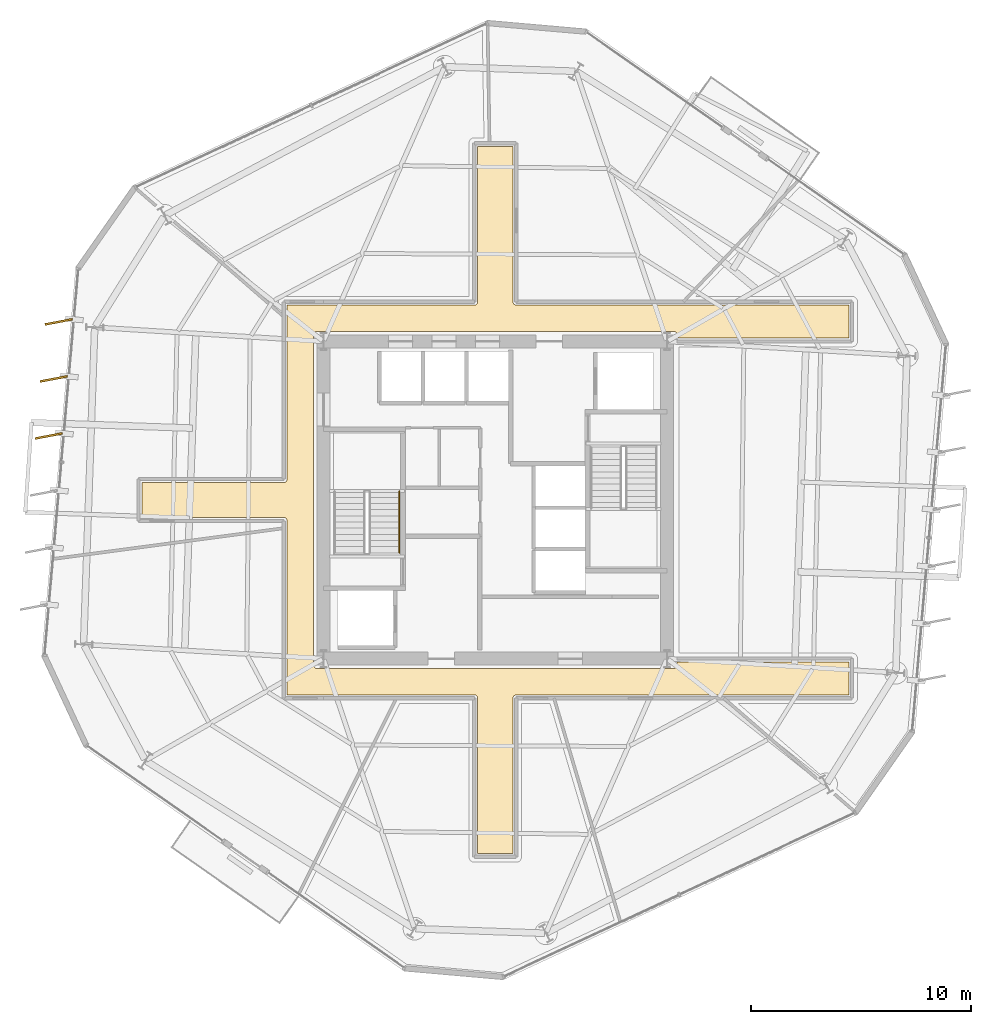
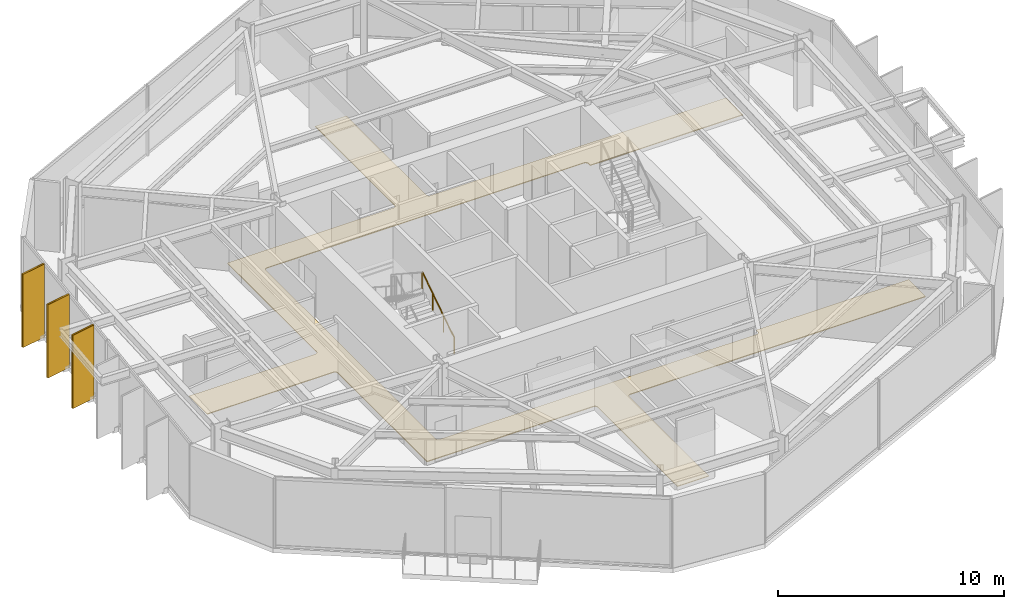
# One storey, part 10 of 12: 4 coverings, 3 shading devices, 1 railing.
"""IFC4 building model written with IfcOpenShell, lengths in metres."""

import ifcopenshell
import ifcopenshell.guid

model = None  # the IFC model being written
_history = None  # IfcOwnerHistory: only IFC2X3 demands one
_inside = {}  # id of a spatial element -> (the spatial element, [elements in it])
_under = {}  # id of a project, library or spatial element -> (it, [spatial elements below it])
_declared = {}  # id of a project -> (the project, [libraries it declares])
_typed = {}  # id of a type object -> (the type object, [elements of that type])
_made_of = {}  # id of a material, layer set ... -> (it, [elements and type objects made of it])


def new_model(schema):
    """Start an empty IFC model of exactly this schema.

    Asked for "IFC4X3", IfcOpenShell would pick the latest addendum, in which some entities
    have other attributes; the version numbers below select the first issue.
    IFC2X3 requires an IfcOwnerHistory on every rooted entity: one is made here for all.
    """
    global model, _history
    if schema == "IFC4X3":
        model = ifcopenshell.file(schema_version=(4, 3, 0, 0))
    else:
        model = ifcopenshell.file(schema=schema)
    _inside.clear()
    _under.clear()
    _declared.clear()
    _typed.clear()
    _made_of.clear()
    _history = None
    if model.schema == "IFC2X3":
        org = make("IfcOrganization", Name="unknown")
        user = make(
            "IfcPersonAndOrganization",
            ThePerson=make("IfcPerson", FamilyName="unknown"),
            TheOrganization=org,
        )
        app = make(
            "IfcApplication",
            ApplicationDeveloper=org,
            Version="unknown",
            ApplicationFullName="unknown",
            ApplicationIdentifier="unknown",
        )
        _history = make(
            "IfcOwnerHistory",
            OwningUser=user,
            OwningApplication=app,
            ChangeAction="ADDED",
            CreationDate=0,
        )
    return model


def make(cls, **values):
    """One entity of the class cls with the attributes given. An attribute that is None is left unset."""
    return model.create_entity(
        cls, **{name: value for name, value in values.items() if value is not None}
    )


def rooted(cls, **values):
    """An entity with a GlobalId (a new one), such as an element, a storey or a relation."""
    return make(cls, GlobalId=ifcopenshell.guid.new(), OwnerHistory=_history, **values)


def si_unit(unit_type, name, prefix=None):
    """IfcSIUnit, for example si_unit("LENGTHUNIT", "METRE", prefix="MILLI")."""
    return make("IfcSIUnit", UnitType=unit_type, Prefix=prefix, Name=name)


def assignment(units):
    """IfcUnitAssignment: the units of a project."""
    return None if units is None else make("IfcUnitAssignment", Units=units)


def point(xyz):
    """IfcCartesianPoint."""
    return None if xyz is None else make("IfcCartesianPoint", Coordinates=xyz)


def direction(xyz):
    """IfcDirection."""
    return None if xyz is None else make("IfcDirection", DirectionRatios=xyz)


def frame(location, z_axis=None, x_axis=None):
    """IfcAxis2Placement3D, a coordinate frame: its origin and axes. An axis left out is left unset."""
    return make(
        "IfcAxis2Placement3D",
        Location=point(location),
        Axis=direction(z_axis),
        RefDirection=direction(x_axis),
    )


def frame_2d(location, x_axis=None):
    """IfcAxis2Placement2D, a coordinate frame in the plane: its origin and x axis."""
    return make(
        "IfcAxis2Placement2D", Location=point(location), RefDirection=direction(x_axis)
    )


def origin():
    """The frame at (0, 0, 0) with its axes left unset."""
    return frame((0.0, 0.0, 0.0))


def origin_2d():
    """The frame at (0, 0) in the plane with its x axis left unset."""
    return frame_2d((0.0, 0.0))


def place(relative_to, where):
    """IfcLocalPlacement: puts the frame where relative to a parent placement (None: the world)."""
    return make(
        "IfcLocalPlacement", PlacementRelTo=relative_to, RelativePlacement=where
    )


def context(
    kind, dimensions, precision=None, world=None, true_north=None, identifier=None
):
    """IfcGeometricRepresentationContext, for example the 3D "Model" context."""
    return make(
        "IfcGeometricRepresentationContext",
        ContextIdentifier=identifier,
        ContextType=kind,
        CoordinateSpaceDimension=dimensions,
        Precision=precision,
        WorldCoordinateSystem=world,
        TrueNorth=true_north,
    )


def subcontext(parent, identifier, kind, view, scale=None):
    """IfcGeometricRepresentationSubContext, for example "Body" below "Model"."""
    return make(
        "IfcGeometricRepresentationSubContext",
        ContextIdentifier=identifier,
        ContextType=kind,
        ParentContext=parent,
        TargetScale=scale,
        TargetView=view,
    )


def project(units=None, contexts=None):
    """IfcProject with its units and contexts."""
    return rooted(
        "IfcProject",
        Name="project",
        RepresentationContexts=contexts,
        UnitsInContext=assignment(units),
    )


def spatial(cls, under=None, at=None, **own):
    """A site, building, storey or space (cls), placed at a placement, below another one or the project."""
    s = rooted(cls, ObjectPlacement=at, **own)
    if under is not None:
        _under.setdefault(under.id(), (under, []))[1].append(s)
    return s


def polyline(points):
    """IfcPolyline through the points."""
    return make("IfcPolyline", Points=[point(p) for p in points])


def profile(cls, at=None, kind="AREA", **sizes):
    """A parametric profile (cls). Its sizes go by their IFC names, for example OverallWidth=200.0."""
    return make(cls, ProfileType=kind, Position=at, **sizes)


def rectangle(**sizes):
    """IfcRectangleProfileDef."""
    return profile("IfcRectangleProfileDef", **sizes)


def circle(**sizes):
    """IfcCircleProfileDef."""
    return profile("IfcCircleProfileDef", **sizes)


def outline(outer, holes=None, kind="AREA"):
    """IfcArbitraryClosedProfileDef: a profile drawn as a closed curve; with holes, ...WithVoids."""
    if holes is None:
        return make("IfcArbitraryClosedProfileDef", ProfileType=kind, OuterCurve=outer)
    return make(
        "IfcArbitraryProfileDefWithVoids",
        ProfileType=kind,
        OuterCurve=outer,
        InnerCurves=holes,
    )


def extrude(swept, where, along, depth):
    """IfcExtrudedAreaSolid: the profile swept, set in the frame where, extruded along a direction by depth."""
    return make(
        "IfcExtrudedAreaSolid",
        SweptArea=swept,
        Position=where,
        ExtrudedDirection=direction(along),
        Depth=depth,
    )


def shape(context_of_items, identifier, shape_type, items):
    """IfcShapeRepresentation: the items that make up one representation, for example the "Body"."""
    return make(
        "IfcShapeRepresentation",
        ContextOfItems=context_of_items,
        RepresentationIdentifier=identifier,
        RepresentationType=shape_type,
        Items=items,
    )


def material(Name=None, Category=None):
    """IfcMaterial."""
    return make("IfcMaterial", Name=Name, Category=Category)


def layer(
    of_material, thickness, ventilated=None, Name=None, Category=None, Priority=None
):
    """IfcMaterialLayer: one layer of a wall or slab, of a material (None: an air gap)."""
    return make(
        "IfcMaterialLayer",
        Material=of_material,
        LayerThickness=thickness,
        IsVentilated=ventilated,
        Name=Name,
        Category=Category,
        Priority=Priority,
    )


def layer_set(layers, Name=None):
    """IfcMaterialLayerSet."""
    return make("IfcMaterialLayerSet", MaterialLayers=layers, LayerSetName=Name)


def made_of(thing, what):
    """Note that an element or type object is made of a material, layer set ...; save() writes the relation."""
    if what is not None:
        _made_of.setdefault(what.id(), (what, []))[1].append(thing)
    return thing


def type_object(cls, material=None, **own):
    """A type object (cls), such as IfcWallType, which elements share."""
    return made_of(rooted(cls, **own), material)


def element(
    cls,
    number,
    at=None,
    inside=None,
    cuts=None,
    type_object=None,
    material=None,
    context=None,
    identifier="Body",
    shape_type=None,
    held_by="IfcProductDefinitionShape",
    body=None,
    shapes=None,
    **own,
):
    """One element of the class cls, such as IfcWall. Its Tag is "e" and its number.

    at: its placement. inside: the storey or other place that contains it. cuts: it is an
    opening in that element (IfcRelVoidsElement). A single representation is given by context,
    identifier, shape_type and body (its items); several are given by shapes. held_by: the class
    of the entity that holds the representations. save() writes the other relations.
    """
    e = rooted(cls, Tag="e%d" % number, ObjectPlacement=at, **own)
    if body is not None:
        shapes = [shape(context, identifier, shape_type, body)]
    if shapes is not None:
        e.Representation = make(held_by, Representations=shapes)
    if inside is not None:
        _inside.setdefault(inside.id(), (inside, []))[1].append(e)
    if cuts is not None:
        rooted(
            "IfcRelVoidsElement", RelatingBuildingElement=cuts, RelatedOpeningElement=e
        )
    if type_object is not None:
        _typed.setdefault(type_object.id(), (type_object, []))[1].append(e)
    return made_of(e, material)


def aggregate(whole, parts):
    """IfcRelAggregates: a whole, such as a stair, and the parts it consists of."""
    return rooted("IfcRelAggregates", RelatingObject=whole, RelatedObjects=parts)


def save(model, path):
    """Write the relations noted so far, then the file.

    IfcRelAggregates (storeys below a building ...), IfcRelContainedInSpatialStructure (elements
    in a storey), IfcRelDefinesByType, IfcRelAssociatesMaterial and IfcRelDeclares: one each for
    every whole, place, type object, material and project.
    """
    for whole, parts in _under.values():
        aggregate(whole, parts)
    for where, things in _inside.values():
        rooted(
            "IfcRelContainedInSpatialStructure",
            RelatedElements=things,
            RelatingStructure=where,
        )
    for kind, things in _typed.values():
        rooted("IfcRelDefinesByType", RelatedObjects=things, RelatingType=kind)
    for what, things in _made_of.values():
        rooted("IfcRelAssociatesMaterial", RelatedObjects=things, RelatingMaterial=what)
    for by, libraries in _declared.values():
        rooted("IfcRelDeclares", RelatingContext=by, RelatedDefinitions=libraries)
    model.write(path)


model = new_model("IFC4")

# Units and contexts
model_context = context("Model", 3, precision=1e-05, world=origin(), true_north=direction((0.0, 1.0)))
body_context = subcontext(model_context, "Body", "Model", "MODEL_VIEW")
ifc_project = project(units=[si_unit("LENGTHUNIT", "METRE"), si_unit("AREAUNIT", "SQUARE_METRE"), si_unit("VOLUMEUNIT", "CUBIC_METRE"), si_unit("PLANEANGLEUNIT", "RADIAN"), si_unit("MASSUNIT", "GRAM", prefix="KILO")], contexts=[model_context])

# Site, building, storey
site_placement = place(None, origin())
site = spatial("IfcSite", under=ifc_project, at=site_placement, CompositionType="ELEMENT")
building_placement = place(site_placement, origin())
building = spatial("IfcBuilding", under=site, at=building_placement, Name="Kranzbogen Civic Tower", CompositionType="ELEMENT")
storey_placement = place(building_placement, frame((0.0, 0.0, 122.39990234375)))
storey = spatial("IfcBuildingStorey", under=building, at=storey_placement, Name="L29", CompositionType="ELEMENT", Elevation=122.39990234375)

# Coverings
ifc_material_1 = material(Name="Pale Anodised Aluminium", Category="aluminium")
ifc_layer_1 = layer(ifc_material_1, 0.02490234375, Name="Pale Anodised Aluminium")
ifc_layer_set_1 = layer_set([ifc_layer_1], Name="Pale Anodised Aluminium")
covering_type_1 = type_object("IfcCoveringType", Name="Anodised Aluminium Vertical Fin Cladding 25 mm", PredefinedType="CLADDING", material=ifc_layer_set_1)
for number, where, z_axis, x_axis, name in (
    (1, (5.177978515625, 33.087890625, -0.139892578125), (0.0, 0.0, 1.0), (-0.982349334715, -0.187055565501, 0.0), "L29 vertical fin pale-metal cladding F3-1"),
    (2, (4.951904296875, 30.498046875, -0.139892578125), (0.0, 0.0, 1.0), (-0.982349334715, -0.187055565501, 0.0), "L29 vertical fin pale-metal cladding F3-2"),
    (3, (4.72509765625, 27.907958984375, -0.139892578125), (0.0, 0.0, 1.0), (-0.982349334715, -0.187055565501, 0.0), "L29 vertical fin pale-metal cladding F3-3"),
):
    element("IfcCovering", number, at=place(storey_placement, frame(where, z_axis=z_axis, x_axis=x_axis)), inside=storey, type_object=covering_type_1, Name=name, PredefinedType="CLADDING", context=body_context, shape_type="SweptSolid", body=[
        extrude(rectangle(XDim=1.25, YDim=0.10009765625, at=origin_2d()), origin(), (0.0, 0.0, 1.0), 3.9599609375),
    ])

# Shading devices
ifc_material_2 = material(Name="Anodised Bronze Aluminium", Category="aluminium")
shading_device_type = type_object("IfcShadingDeviceType", Name="Anodised Bronze Vertical Facade Fin 1250x80", PredefinedType="USERDEFINED", material=ifc_material_2)
for number, where, z_axis, x_axis, name in (
    (4, (5.177978515625, 33.087890625, -0.139892578125), (0.0, 0.0, 1.0), (-0.982349334715, -0.187055565501, 0.0), "L29 vertical exterior shading fin F3-1"),
    (5, (4.951904296875, 30.498046875, -0.139892578125), (0.0, 0.0, 1.0), (-0.982349334715, -0.187055565501, 0.0), "L29 vertical exterior shading fin F3-2"),
    (6, (4.72509765625, 27.907958984375, -0.139892578125), (0.0, 0.0, 1.0), (-0.982349334715, -0.187055565501, 0.0), "L29 vertical exterior shading fin F3-3"),
):
    element("IfcShadingDevice", number, at=place(storey_placement, frame(where, z_axis=z_axis, x_axis=x_axis)), inside=storey, type_object=shading_device_type, Name=name, ObjectType="FIN", PredefinedType="USERDEFINED", context=body_context, shape_type="SweptSolid", body=[
        extrude(rectangle(XDim=1.25, YDim=0.080078125, at=origin_2d()), origin(), (0.0, 0.0, 1.0), 3.9599609375),
    ])

# Covering
ifc_material_3 = material(Name="Honed Natural Stone Flooring", Category="masonry")
ifc_layer_2 = layer(ifc_material_3, 0.0400390625, Name="Honed Natural Stone Flooring")
ifc_layer_set_2 = layer_set([ifc_layer_2], Name="Honed Natural Stone Flooring")
covering_type_2 = type_object("IfcCoveringType", Name="Honed Limestone Lobby Flooring 40 mm", PredefinedType="FLOORING", material=ifc_layer_set_2)
covering_placement = place(storey_placement, origin())
element("IfcCovering", 7, at=covering_placement, inside=storey, type_object=covering_type_2, Name="L29 concourse stone flooring 1", PredefinedType="FLOORING", context=body_context, shape_type="SweptSolid", body=[
    extrude(outline(polyline([(15.550048828125, 16.14990234375), (15.550048828125, 24.050048828125), (15.549072265625, 24.06494140625), (15.547119140625, 24.0791015625), (15.5439453125, 24.093994140625), (15.5390625, 24.10693359375), (15.531982421875, 24.12109375), (15.52490234375, 24.133056640625), (15.51611328125, 24.14501953125), (15.506103515625, 24.156005859375), (15.4951171875, 24.166015625), (15.48291015625, 24.175048828125), (15.470947265625, 24.181884765625), (15.45703125, 24.18896484375), (15.444091796875, 24.194091796875), (15.428955078125, 24.197021484375), (15.4150390625, 24.198974609375), (15.39990234375, 24.199951171875), (8.949951171875, 24.199951171875), (8.949951171875, 25.800048828125), (15.39990234375, 25.800048828125), (15.4150390625, 25.801025390625), (15.428955078125, 25.802978515625), (15.444091796875, 25.805908203125), (15.45703125, 25.81103515625), (15.470947265625, 25.818115234375), (15.48291015625, 25.824951171875), (15.4951171875, 25.833984375), (15.506103515625, 25.843994140625), (15.51611328125, 25.85498046875), (15.52490234375, 25.866943359375), (15.531982421875, 25.87890625), (15.5390625, 25.89306640625), (15.5439453125, 25.906005859375), (15.547119140625, 25.9208984375), (15.549072265625, 25.93505859375), (15.550048828125, 25.949951171875), (15.550048828125, 33.85009765625), (24.050048828125, 33.85009765625), (24.06494140625, 33.85107421875), (24.0791015625, 33.85302734375), (24.093994140625, 33.85595703125), (24.10693359375, 33.861083984375), (24.12109375, 33.867919921875), (24.133056640625, 33.875), (24.14501953125, 33.884033203125), (24.156005859375, 33.89404296875), (24.166015625, 33.905029296875), (24.175048828125, 33.9169921875), (24.181884765625, 33.928955078125), (24.18896484375, 33.943115234375), (24.194091796875, 33.9560546875), (24.197021484375, 33.970947265625), (24.198974609375, 33.985107421875), (24.199951171875, 34.0), (24.199951171875, 41.050048828125), (25.800048828125, 41.050048828125), (25.800048828125, 34.0), (25.801025390625, 33.985107421875), (25.802978515625, 33.970947265625), (25.805908203125, 33.9560546875), (25.81103515625, 33.943115234375), (25.818115234375, 33.928955078125), (25.824951171875, 33.9169921875), (25.833984375, 33.905029296875), (25.843994140625, 33.89404296875), (25.85498046875, 33.884033203125), (25.866943359375, 33.875), (25.87890625, 33.867919921875), (25.89306640625, 33.861083984375), (25.906005859375, 33.85595703125), (25.9208984375, 33.85302734375), (25.93505859375, 33.85107421875), (25.949951171875, 33.85009765625), (41.050048828125, 33.85009765625), (41.050048828125, 32.35009765625), (33.25, 32.35009765625), (33.25, 32.5), (33.2490234375, 32.514892578125), (33.2470703125, 32.529052734375), (33.243896484375, 32.5439453125), (33.239013671875, 32.556884765625), (33.23193359375, 32.571044921875), (33.22509765625, 32.5830078125), (33.216064453125, 32.594970703125), (33.2060546875, 32.60595703125), (33.195068359375, 32.615966796875), (33.18310546875, 32.625), (33.1708984375, 32.632080078125), (33.156982421875, 32.638916015625), (33.14404296875, 32.64404296875), (33.12890625, 32.64697265625), (33.114990234375, 32.64892578125), (33.10009765625, 32.64990234375), (16.89990234375, 32.64990234375), (16.885009765625, 32.64892578125), (16.87109375, 32.64697265625), (16.85595703125, 32.64404296875), (16.843017578125, 32.638916015625), (16.8291015625, 32.632080078125), (16.81689453125, 32.625), (16.804931640625, 32.615966796875), (16.7939453125, 32.60595703125), (16.783935546875, 32.594970703125), (16.77490234375, 32.5830078125), (16.76806640625, 32.571044921875), (16.760986328125, 32.556884765625), (16.756103515625, 32.5439453125), (16.7529296875, 32.529052734375), (16.7509765625, 32.514892578125), (16.75, 32.5), (16.75, 17.5), (16.7509765625, 17.485107421875), (16.7529296875, 17.470947265625), (16.756103515625, 17.4560546875), (16.760986328125, 17.443115234375), (16.76806640625, 17.428955078125), (16.77490234375, 17.4169921875), (16.783935546875, 17.405029296875), (16.7939453125, 17.39404296875), (16.804931640625, 17.384033203125), (16.81689453125, 17.375), (16.8291015625, 17.367919921875), (16.843017578125, 17.361083984375), (16.85595703125, 17.35595703125), (16.87109375, 17.35302734375), (16.885009765625, 17.35107421875), (16.89990234375, 17.35009765625), (33.10009765625, 17.35009765625), (33.114990234375, 17.35107421875), (33.12890625, 17.35302734375), (33.14404296875, 17.35595703125), (33.156982421875, 17.361083984375), (33.1708984375, 17.367919921875), (33.18310546875, 17.375), (33.195068359375, 17.384033203125), (33.2060546875, 17.39404296875), (33.216064453125, 17.405029296875), (33.22509765625, 17.4169921875), (33.23193359375, 17.428955078125), (33.239013671875, 17.443115234375), (33.243896484375, 17.4560546875), (33.2470703125, 17.470947265625), (33.2490234375, 17.485107421875), (33.25, 17.5), (33.25, 17.64990234375), (41.050048828125, 17.64990234375), (41.050048828125, 16.14990234375), (25.949951171875, 16.14990234375), (25.93505859375, 16.14892578125), (25.9208984375, 16.14697265625), (25.906005859375, 16.14404296875), (25.89306640625, 16.138916015625), (25.87890625, 16.132080078125), (25.866943359375, 16.125), (25.85498046875, 16.115966796875), (25.843994140625, 16.10595703125), (25.833984375, 16.094970703125), (25.824951171875, 16.0830078125), (25.818115234375, 16.071044921875), (25.81103515625, 16.056884765625), (25.805908203125, 16.0439453125), (25.802978515625, 16.029052734375), (25.801025390625, 16.014892578125), (25.800048828125, 16.0), (25.800048828125, 8.949951171875), (24.199951171875, 8.949951171875), (24.199951171875, 16.0), (24.198974609375, 16.014892578125), (24.197021484375, 16.029052734375), (24.194091796875, 16.0439453125), (24.18896484375, 16.056884765625), (24.181884765625, 16.071044921875), (24.175048828125, 16.0830078125), (24.166015625, 16.094970703125), (24.156005859375, 16.10595703125), (24.14501953125, 16.115966796875), (24.133056640625, 16.125), (24.12109375, 16.132080078125), (24.10693359375, 16.138916015625), (24.093994140625, 16.14404296875), (24.0791015625, 16.14697265625), (24.06494140625, 16.14892578125), (24.050048828125, 16.14990234375), (15.550048828125, 16.14990234375)])), origin(), (0.0, 0.0, 1.0), 0.0400390625),
])

# Railing
railing_type = type_object("IfcRailingType", Name="Tubular Stainless Stair Wall Handrail 900", PredefinedType="HANDRAIL", material=ifc_material_1)
railing_placement = place(storey_placement, frame((20.64990234375, 22.60009765625, 0.181884765625)))
element("IfcRailing", 8, at=railing_placement, inside=storey, type_object=railing_type, Name="L29 ST-T1 stair handrail 1", PredefinedType="HANDRAIL", context=body_context, shape_type="SweptSolid", body=[
    extrude(circle(Radius=0.02392578125, at=origin_2d()), frame((0.0, 0.0, 0.8759765625), z_axis=(0.0, 0.83868413941, 0.544618136222), x_axis=(-1.0, 0.0, 0.0)), (0.0, 0.0, 1.0), 3.33837890625),
    extrude(circle(Radius=0.02099609375, at=origin_2d()), origin(), (0.0, 0.0, 1.0), 0.851806640625),
    extrude(circle(Radius=0.02099609375, at=origin_2d()), frame((0.0, 0.933349609375, 0.60595703125)), (0.0, 0.0, 1.0), 0.851806640625),
    extrude(circle(Radius=0.02099609375, at=origin_2d()), frame((0.0, 1.866455078125, 1.212158203125)), (0.0, 0.0, 1.0), 0.851806640625),
    extrude(circle(Radius=0.02099609375, at=origin_2d()), frame((0.0, 2.7998046875, 1.818115234375)), (0.0, 0.0, 1.0), 0.851806640625),
])

save(model, "model.ifc")
